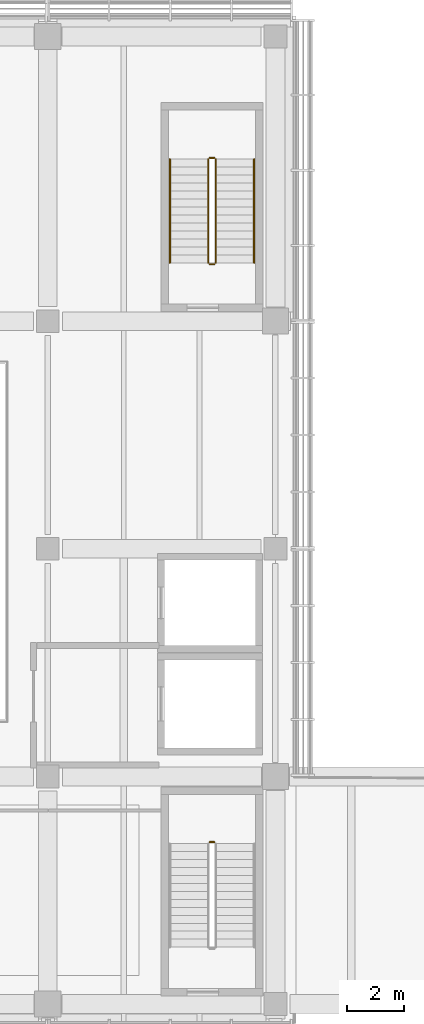
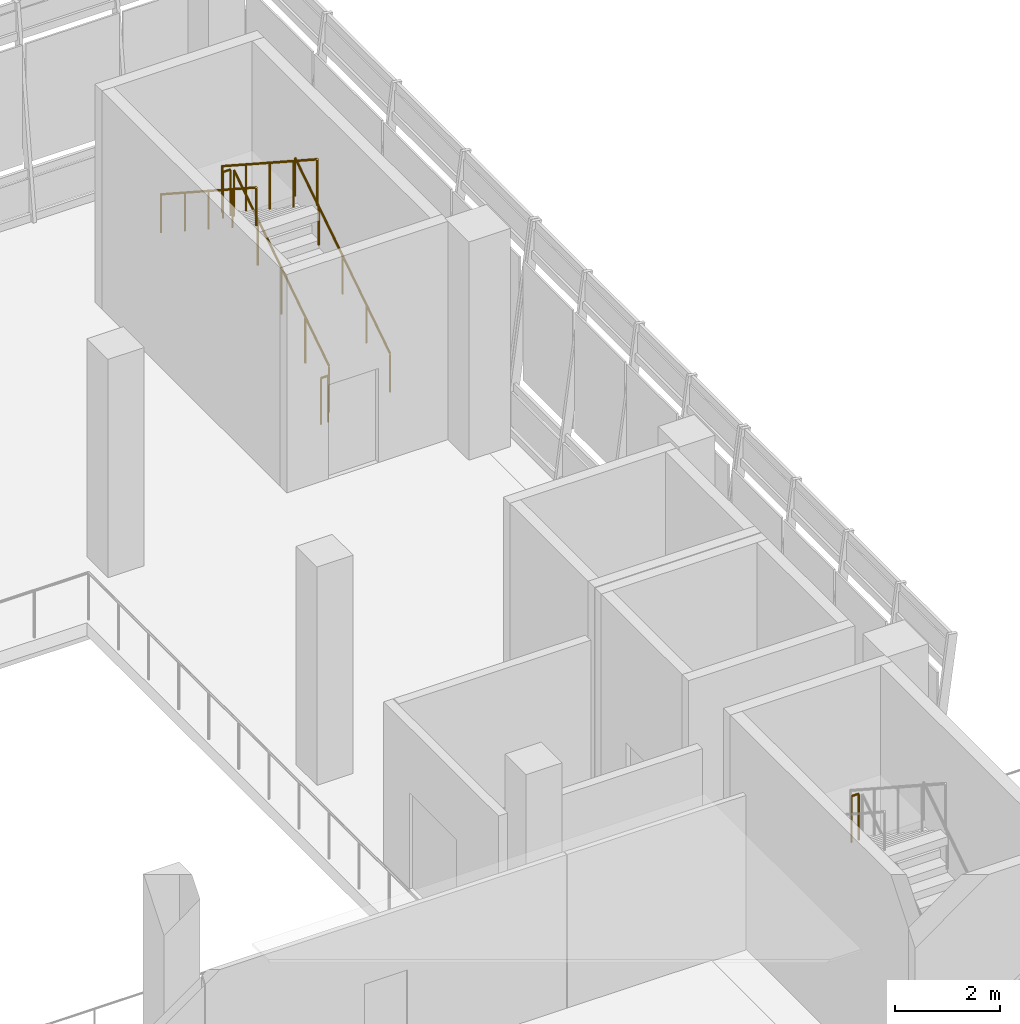
# One storey, part 56 of 61: 7 railings.
"""IFC4 building model written with IfcOpenShell, lengths in metres."""

from ifc_helpers import new_model, si_unit, direction, frame, origin, origin_2d, place, context, subcontext, project, spatial, circle, extrude, material, type_object, element, save


model = new_model("IFC4")

# Units and contexts
model_context = context("Model", 3, precision=1e-05, world=origin(), true_north=direction((0.0, 1.0)))
body_context = subcontext(model_context, "Body", "Model", "MODEL_VIEW")
ifc_project = project(units=[si_unit("LENGTHUNIT", "METRE"), si_unit("AREAUNIT", "SQUARE_METRE"), si_unit("VOLUMEUNIT", "CUBIC_METRE"), si_unit("PLANEANGLEUNIT", "RADIAN"), si_unit("MASSUNIT", "GRAM", prefix="KILO")], contexts=[model_context])

# Site, building, storey
site_placement = place(None, origin())
site = spatial("IfcSite", under=ifc_project, at=site_placement, CompositionType="ELEMENT")
building_placement = place(site_placement, origin())
building = spatial("IfcBuilding", under=site, at=building_placement, Name="Pecanmere Concourse Central Library", CompositionType="ELEMENT")
storey_placement = place(building_placement, frame((0.0, 0.0, 5.39990234375)))
storey = spatial("IfcBuildingStorey", under=building, at=storey_placement, Name="L02", CompositionType="ELEMENT", Elevation=5.39990234375)

# Railings
ifc_material_1 = material(Name="Painted architectural steel ASTM A36", Category="steel")
railing_type_1 = type_object("IfcRailingType", Name="RAIL_STAIR_GUARD", PredefinedType="GUARDRAIL", material=ifc_material_1)
railing_1_placement = place(storey_placement, frame((101.85009765625, 95.68994140625, 2.550048828125)))
element("IfcRailing", 1, at=railing_1_placement, inside=storey, type_object=railing_type_1, Name="L02 ST-02 Guard 2", PredefinedType="GUARDRAIL", context=body_context, shape_type="SweptSolid", body=[
    extrude(circle(Radius=0.02392578125, at=origin_2d()), frame((0.0, 0.0, 1.076171875), z_axis=(-1.0, 0.0, 0.0), x_axis=(0.0, -1.0, 0.0)), (0.0, 0.0, 1.0), 0.16015625),
    extrude(circle(Radius=0.02099609375, at=origin_2d()), origin(), (0.0, 0.0, 1.0), 1.052001953125),
    extrude(circle(Radius=0.02099609375, at=origin_2d()), frame((-0.16015625, 0.0, 0.0)), (0.0, 0.0, 1.0), 1.052001953125),
])
railing_2_placement = place(storey_placement, frame((101.89990234375, 116.050048828125, 0.18212890625)))
element("IfcRailing", 2, at=railing_2_placement, inside=storey, type_object=railing_type_1, Name="L02 ST-04 Guard 1", PredefinedType="GUARDRAIL", context=body_context, shape_type="SweptSolid", body=[
    extrude(circle(Radius=0.02392578125, at=origin_2d()), frame((0.0, 0.0, 1.076171875), z_axis=(0.0, 0.838234174257, 0.545310433706), x_axis=(-1.0, 0.0, 0.0)), (0.0, 0.0, 1.0), 4.34228515625),
    extrude(circle(Radius=0.02099609375, at=origin_2d()), origin(), (0.0, 0.0, 1.0), 1.052001953125),
    extrude(circle(Radius=0.02099609375, at=origin_2d()), frame((0.0, 0.909912109375, 0.592041015625)), (0.0, 0.0, 1.0), 1.052001953125),
    extrude(circle(Radius=0.02099609375, at=origin_2d()), frame((0.0, 1.81982421875, 1.18408203125)), (0.0, 0.0, 1.0), 1.052001953125),
    extrude(circle(Radius=0.02099609375, at=origin_2d()), frame((0.0, 2.72998046875, 1.77587890625)), (0.0, 0.0, 1.0), 1.052001953125),
    extrude(circle(Radius=0.02099609375, at=origin_2d()), frame((0.0, 3.639892578125, 2.367919921875)), (0.0, 0.0, 1.0), 1.052001953125),
])
railing_3_placement = place(storey_placement, frame((101.85009765625, 119.739990234375, 2.550048828125)))
element("IfcRailing", 3, at=railing_3_placement, inside=storey, type_object=railing_type_1, Name="L02 ST-04 Guard 2", PredefinedType="GUARDRAIL", context=body_context, shape_type="SweptSolid", body=[
    extrude(circle(Radius=0.02392578125, at=origin_2d()), frame((0.0, 0.0, 1.076171875), z_axis=(-1.0, 0.0, 0.0), x_axis=(0.0, -1.0, 0.0)), (0.0, 0.0, 1.0), 0.16015625),
    extrude(circle(Radius=0.02099609375, at=origin_2d()), origin(), (0.0, 0.0, 1.0), 1.052001953125),
    extrude(circle(Radius=0.02099609375, at=origin_2d()), frame((-0.16015625, 0.0, 0.0)), (0.0, 0.0, 1.0), 1.052001953125),
])
railing_4_placement = place(storey_placement, frame((101.639892578125, 119.68994140625, 2.732177734375)))
element("IfcRailing", 4, at=railing_4_placement, inside=storey, type_object=railing_type_1, Name="L02 ST-04 Guard 3", PredefinedType="GUARDRAIL", context=body_context, shape_type="SweptSolid", body=[
    extrude(circle(Radius=0.02392578125, at=origin_2d()), frame((0.0, 0.0, 1.076171875), z_axis=(0.0, -0.838234174257, 0.545310433706), x_axis=(1.0, 0.0, 0.0)), (0.0, 0.0, 1.0), 4.34228515625),
    extrude(circle(Radius=0.02099609375, at=origin_2d()), origin(), (0.0, 0.0, 1.0), 1.052001953125),
    extrude(circle(Radius=0.02099609375, at=origin_2d()), frame((0.0, -0.909912109375, 0.592041015625)), (0.0, 0.0, 1.0), 1.052001953125),
    extrude(circle(Radius=0.02099609375, at=origin_2d()), frame((0.0, -1.81982421875, 1.18408203125)), (0.0, 0.0, 1.0), 1.052001953125),
    extrude(circle(Radius=0.02099609375, at=origin_2d()), frame((0.0, -2.72998046875, 1.77587890625)), (0.0, 0.0, 1.0), 1.052001953125),
    extrude(circle(Radius=0.02099609375, at=origin_2d()), frame((0.0, -3.639892578125, 2.367919921875)), (0.0, 0.0, 1.0), 1.052001953125),
])
railing_5_placement = place(storey_placement, frame((101.85009765625, 116.0, 0.0)))
element("IfcRailing", 5, at=railing_5_placement, inside=storey, type_object=railing_type_1, Name="L02 ST-04 Guard 4", PredefinedType="GUARDRAIL", context=body_context, shape_type="SweptSolid", body=[
    extrude(circle(Radius=0.02392578125, at=origin_2d()), frame((0.0, 0.0, 1.076171875), z_axis=(-1.0, 0.0, 0.0), x_axis=(0.0, -1.0, 0.0)), (0.0, 0.0, 1.0), 0.16015625),
    extrude(circle(Radius=0.02099609375, at=origin_2d()), origin(), (0.0, 0.0, 1.0), 1.052001953125),
    extrude(circle(Radius=0.02099609375, at=origin_2d()), frame((-0.16015625, 0.0, 0.0)), (0.0, 0.0, 1.0), 1.052001953125),
])
ifc_material_2 = material(Name="Brushed stainless steel Grade 316", Category="steel")
railing_type_2 = type_object("IfcRailingType", Name="RAIL_STAIR_HR", PredefinedType="HANDRAIL", material=ifc_material_2)
railing_6_placement = place(storey_placement, frame((103.25, 116.050048828125, 0.18212890625)))
element("IfcRailing", 6, at=railing_6_placement, inside=storey, type_object=railing_type_2, Name="L02 ST-04 Handrail 1", PredefinedType="HANDRAIL", context=body_context, shape_type="SweptSolid", body=[
    extrude(circle(Radius=0.02392578125, at=origin_2d()), frame((0.0, 0.0, 0.89111328125), z_axis=(0.0, 0.838234174257, 0.545310433706), x_axis=(-1.0, 0.0, 0.0)), (0.0, 0.0, 1.0), 4.34228515625),
    extrude(circle(Radius=0.02099609375, at=origin_2d()), origin(), (0.0, 0.0, 1.0), 0.866943359375),
    extrude(circle(Radius=0.02099609375, at=origin_2d()), frame((0.0, 0.909912109375, 0.592041015625)), (0.0, 0.0, 1.0), 0.866943359375),
    extrude(circle(Radius=0.02099609375, at=origin_2d()), frame((0.0, 1.81982421875, 1.18408203125)), (0.0, 0.0, 1.0), 0.866943359375),
    extrude(circle(Radius=0.02099609375, at=origin_2d()), frame((0.0, 2.72998046875, 1.77587890625)), (0.0, 0.0, 1.0), 0.866943359375),
    extrude(circle(Radius=0.02099609375, at=origin_2d()), frame((0.0, 3.639892578125, 2.367919921875)), (0.0, 0.0, 1.0), 0.866943359375),
])
railing_7_placement = place(storey_placement, frame((100.2900390625, 119.68994140625, 2.732177734375)))
element("IfcRailing", 7, at=railing_7_placement, inside=storey, type_object=railing_type_2, Name="L02 ST-04 Handrail 2", PredefinedType="HANDRAIL", context=body_context, shape_type="SweptSolid", body=[
    extrude(circle(Radius=0.02392578125, at=origin_2d()), frame((0.0, 0.0, 0.89111328125), z_axis=(0.0, -0.838234174257, 0.545310433706), x_axis=(1.0, 0.0, 0.0)), (0.0, 0.0, 1.0), 4.34228515625),
    extrude(circle(Radius=0.02099609375, at=origin_2d()), origin(), (0.0, 0.0, 1.0), 0.866943359375),
    extrude(circle(Radius=0.02099609375, at=origin_2d()), frame((0.0, -0.909912109375, 0.592041015625)), (0.0, 0.0, 1.0), 0.866943359375),
    extrude(circle(Radius=0.02099609375, at=origin_2d()), frame((0.0, -1.81982421875, 1.18408203125)), (0.0, 0.0, 1.0), 0.866943359375),
    extrude(circle(Radius=0.02099609375, at=origin_2d()), frame((0.0, -2.72998046875, 1.77587890625)), (0.0, 0.0, 1.0), 0.866943359375),
    extrude(circle(Radius=0.02099609375, at=origin_2d()), frame((0.0, -3.639892578125, 2.367919921875)), (0.0, 0.0, 1.0), 0.866943359375),
])

save(model, "model.ifc")
